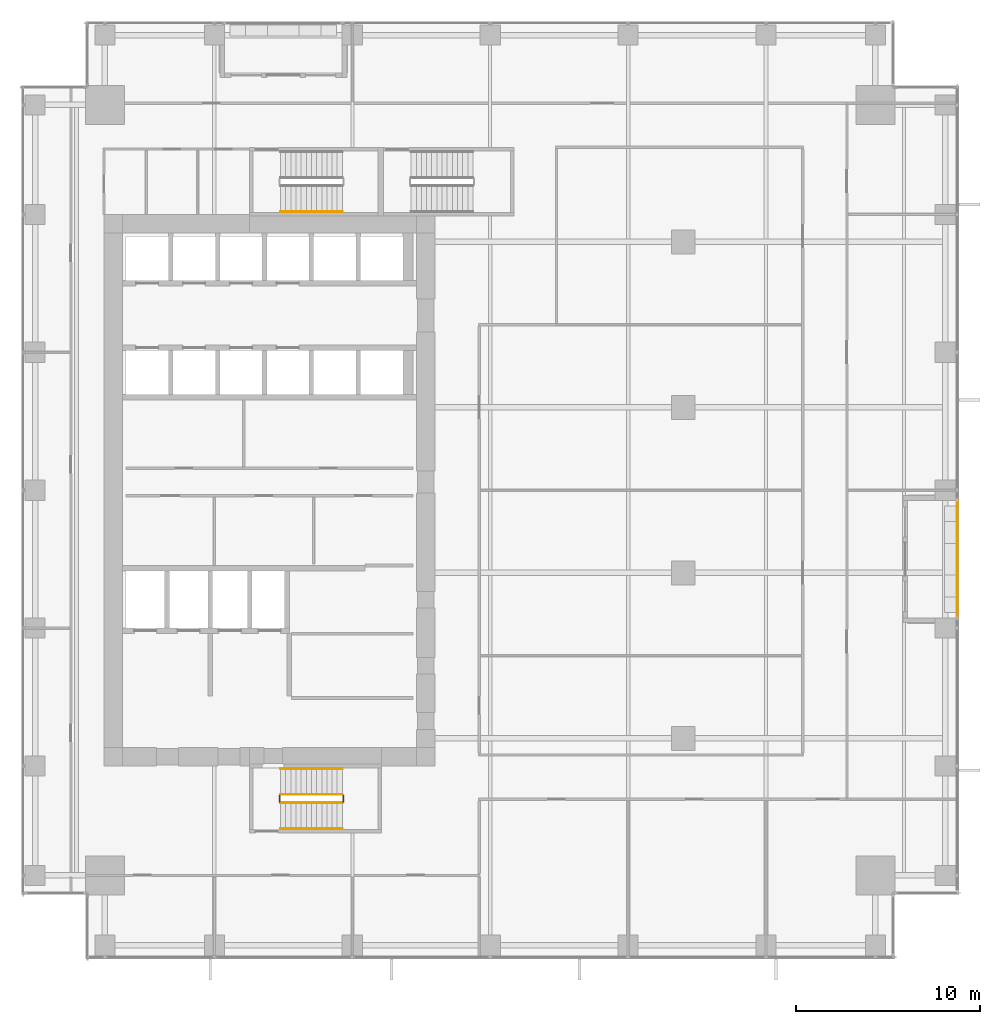
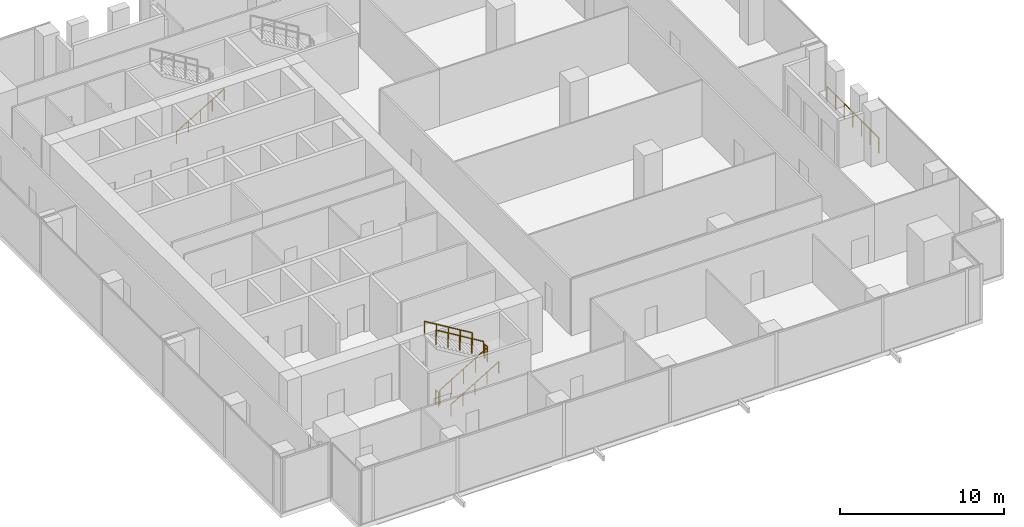
# One storey, part 32 of 34: 8 railings.
"""IFC4 building model written with IfcOpenShell, lengths in metres."""

from ifc_helpers import new_model, si_unit, direction, frame, origin, origin_2d, place, context, subcontext, project, spatial, circle, extrude, source, transform, mapped, material, type_object, element, save


model = new_model("IFC4")

# Units and contexts
model_context = context("Model", 3, precision=1e-05, world=origin(), true_north=direction((0.0, 1.0)))
body_context = subcontext(model_context, "Body", "Model", "MODEL_VIEW")
ifc_project = project(units=[si_unit("LENGTHUNIT", "METRE"), si_unit("AREAUNIT", "SQUARE_METRE"), si_unit("VOLUMEUNIT", "CUBIC_METRE"), si_unit("PLANEANGLEUNIT", "RADIAN"), si_unit("MASSUNIT", "GRAM", prefix="KILO")], contexts=[model_context])

# Site, building, storey
site_placement = place(None, origin())
site = spatial("IfcSite", under=ifc_project, at=site_placement, CompositionType="ELEMENT")
building_placement = place(site_placement, origin())
building = spatial("IfcBuilding", under=site, at=building_placement, Name="Khomas Fold Tower", CompositionType="ELEMENT")
storey_placement = place(building_placement, frame((0.0, 0.0, 105.89990234375)))
storey = spatial("IfcBuildingStorey", under=building, at=storey_placement, Name="L22", CompositionType="ELEMENT", Elevation=105.89990234375)

# Railings
ifc_material_1 = material(Name="Powder-coated steel", Category="steel")
railing_type_1 = type_object("IfcRailingType", Name="Balcony guard", PredefinedType="GUARDRAIL", material=ifc_material_1)
shared_shape_1 = source(origin(), body_context, "Body", "SweptSolid", [
    extrude(circle(Radius=0.02490234375, at=origin_2d()), frame((0.0, 0.0, 1.125), z_axis=(0.0, 1.0, 0.0), x_axis=(-1.0, 0.0, 0.0)), (0.0, 0.0, 1.0), 6.33984375),
    extrude(circle(Radius=0.02001953125, at=origin_2d()), origin(), (0.0, 0.0, 1.0), 1.099853515625),
    extrude(circle(Radius=0.02001953125, at=origin_2d()), frame((0.0, 1.056640625, 0.0)), (0.0, 0.0, 1.0), 1.099853515625),
    extrude(circle(Radius=0.02001953125, at=origin_2d()), frame((0.0, 2.11328125, 0.0)), (0.0, 0.0, 1.0), 1.099853515625),
    extrude(circle(Radius=0.02001953125, at=origin_2d()), frame((0.0, 3.169921875, 0.0)), (0.0, 0.0, 1.0), 1.099853515625),
    extrude(circle(Radius=0.02001953125, at=origin_2d()), frame((0.0, 4.2265625, 0.0)), (0.0, 0.0, 1.0), 1.099853515625),
    extrude(circle(Radius=0.02001953125, at=origin_2d()), frame((0.0, 5.283203125, 0.0)), (0.0, 0.0, 1.0), 1.099853515625),
    extrude(circle(Radius=0.02001953125, at=origin_2d()), frame((0.0, 6.33984375, 0.0)), (0.0, 0.0, 1.0), 1.099853515625),
])
railing_1_placement = place(storey_placement, frame((52.39990234375, 20.080078125, -0.044921875)))
element("IfcRailing", 1, at=railing_1_placement, inside=storey, type_object=railing_type_1, Name="Balcony guard BAL-L22-E2", PredefinedType="GUARDRAIL", context=body_context, shape_type="MappedRepresentation", body=[
    mapped(shared_shape_1, transform((0.0, 0.0, 0.0))),
])
ifc_material_2 = material(Name="Steel balustrade", Category="steel")
railing_type_2 = type_object("IfcRailingType", Name="Stair guard", PredefinedType="GUARDRAIL", material=ifc_material_2)
shared_shape_2 = source(origin(), body_context, "Body", "SweptSolid", [
    extrude(circle(Radius=0.02392578125, at=origin_2d()), frame((0.0, 0.0, 1.076171875), z_axis=(0.0, 1.0, 0.0), x_axis=(-1.0, 0.0, 0.0)), (0.0, 0.0, 1.0), 0.349853515625),
    extrude(circle(Radius=0.02099609375, at=origin_2d()), origin(), (0.0, 0.0, 1.0), 1.052001953125),
    extrude(circle(Radius=0.02099609375, at=origin_2d()), frame((0.0, 0.349853515625, 0.0)), (0.0, 0.0, 1.0), 1.052001953125),
])
for number, where, name in (
    (2, (19.010009765625, 10.050048828125, 2.2001953125), "L22 ST2 stair guard 2"),
    (3, (15.550048828125, 10.050048828125, 0.0), "L22 ST2 stair guard 4"),
):
    element("IfcRailing", number, at=place(storey_placement, frame(where)), inside=storey, type_object=railing_type_2, Name=name, PredefinedType="GUARDRAIL", context=body_context, shape_type="MappedRepresentation", body=[
        mapped(shared_shape_2, transform((0.0, 0.0, 0.0))),
    ])
shared_shape_3 = source(origin(), body_context, "Body", "SweptSolid", [
    extrude(circle(Radius=0.02392578125, at=origin_2d()), frame((0.0, 0.0, 1.076171875), z_axis=(0.855820338506, 0.0, 0.51727318527), x_axis=(0.0, 1.0, 0.0)), (0.0, 0.0, 1.0), 3.92578125),
    extrude(circle(Radius=0.02099609375, at=origin_2d()), origin(), (0.0, 0.0, 1.0), 1.052001953125),
    extrude(circle(Radius=0.02099609375, at=origin_2d()), frame((0.83984375, 0.0, 0.5078125)), (0.0, 0.0, 1.0), 1.052001953125),
    extrude(circle(Radius=0.02099609375, at=origin_2d()), frame((1.679931640625, 0.0, 1.015380859375)), (0.0, 0.0, 1.0), 1.052001953125),
    extrude(circle(Radius=0.02099609375, at=origin_2d()), frame((2.52001953125, 0.0, 1.52294921875)), (0.0, 0.0, 1.0), 1.052001953125),
    extrude(circle(Radius=0.02099609375, at=origin_2d()), frame((3.35986328125, 0.0, 2.03076171875)), (0.0, 0.0, 1.0), 1.052001953125),
])
railing_2_placement = place(storey_placement, frame((15.60009765625, 10.0, 0.16943359375)))
element("IfcRailing", 4, at=railing_2_placement, inside=storey, type_object=railing_type_2, Name="L22 ST2 stair guard 1", PredefinedType="GUARDRAIL", context=body_context, shape_type="MappedRepresentation", body=[
    mapped(shared_shape_3, transform((0.0, 0.0, 0.0))),
])
shared_shape_4 = source(origin(), body_context, "Body", "SweptSolid", [
    extrude(circle(Radius=0.02392578125, at=origin_2d()), frame((0.0, 0.0, 1.076171875), z_axis=(-0.855820338506, 0.0, 0.51727318527), x_axis=(0.0, -1.0, 0.0)), (0.0, 0.0, 1.0), 3.92578125),
    extrude(circle(Radius=0.02099609375, at=origin_2d()), origin(), (0.0, 0.0, 1.0), 1.052001953125),
    extrude(circle(Radius=0.02099609375, at=origin_2d()), frame((-0.83984375, 0.0, 0.5078125)), (0.0, 0.0, 1.0), 1.052001953125),
    extrude(circle(Radius=0.02099609375, at=origin_2d()), frame((-1.679931640625, 0.0, 1.015380859375)), (0.0, 0.0, 1.0), 1.052001953125),
    extrude(circle(Radius=0.02099609375, at=origin_2d()), frame((-2.52001953125, 0.0, 1.52294921875)), (0.0, 0.0, 1.0), 1.052001953125),
    extrude(circle(Radius=0.02099609375, at=origin_2d()), frame((-3.35986328125, 0.0, 2.03076171875)), (0.0, 0.0, 1.0), 1.052001953125),
])
railing_3_placement = place(storey_placement, frame((18.9599609375, 10.449951171875, 2.369384765625)))
element("IfcRailing", 5, at=railing_3_placement, inside=storey, type_object=railing_type_2, Name="L22 ST2 stair guard 3", PredefinedType="GUARDRAIL", context=body_context, shape_type="MappedRepresentation", body=[
    mapped(shared_shape_4, transform((0.0, 0.0, 0.0))),
])
ifc_material_3 = material(Name="Steel handrail", Category="steel")
railing_type_3 = type_object("IfcRailingType", Name="Stair handrail", PredefinedType="HANDRAIL", material=ifc_material_3)
shared_shape_5 = source(origin(), body_context, "Body", "SweptSolid", [
    extrude(circle(Radius=0.02392578125, at=origin_2d()), frame((0.0, 0.0, 0.8759765625), z_axis=(0.855820338506, 0.0, 0.51727318527), x_axis=(0.0, 1.0, 0.0)), (0.0, 0.0, 1.0), 3.92578125),
    extrude(circle(Radius=0.02099609375, at=origin_2d()), origin(), (0.0, 0.0, 1.0), 0.851806640625),
    extrude(circle(Radius=0.02099609375, at=origin_2d()), frame((0.83984375, 0.0, 0.5078125)), (0.0, 0.0, 1.0), 0.851806640625),
    extrude(circle(Radius=0.02099609375, at=origin_2d()), frame((1.679931640625, 0.0, 1.015380859375)), (0.0, 0.0, 1.0), 0.851806640625),
    extrude(circle(Radius=0.02099609375, at=origin_2d()), frame((2.52001953125, 0.0, 1.52294921875)), (0.0, 0.0, 1.0), 0.851806640625),
    extrude(circle(Radius=0.02099609375, at=origin_2d()), frame((3.35986328125, 0.0, 2.03076171875)), (0.0, 0.0, 1.0), 0.851806640625),
])
for number, where, name in (
    (6, (15.60009765625, 42.14990234375, 0.16943359375), "L22 ST1 stair handrail 1"),
    (7, (15.60009765625, 8.60009765625, 0.16943359375), "L22 ST2 stair handrail 1"),
):
    element("IfcRailing", number, at=place(storey_placement, frame(where)), inside=storey, type_object=railing_type_3, Name=name, PredefinedType="HANDRAIL", context=body_context, shape_type="MappedRepresentation", body=[
        mapped(shared_shape_5, transform((0.0, 0.0, 0.0))),
    ])
shared_shape_6 = source(origin(), body_context, "Body", "SweptSolid", [
    extrude(circle(Radius=0.02392578125, at=origin_2d()), frame((0.0, 0.0, 0.8759765625), z_axis=(-0.855820338506, 0.0, 0.51727318527), x_axis=(0.0, -1.0, 0.0)), (0.0, 0.0, 1.0), 3.92578125),
    extrude(circle(Radius=0.02099609375, at=origin_2d()), origin(), (0.0, 0.0, 1.0), 0.851806640625),
    extrude(circle(Radius=0.02099609375, at=origin_2d()), frame((-0.83984375, 0.0, 0.5078125)), (0.0, 0.0, 1.0), 0.851806640625),
    extrude(circle(Radius=0.02099609375, at=origin_2d()), frame((-1.679931640625, 0.0, 1.015380859375)), (0.0, 0.0, 1.0), 0.851806640625),
    extrude(circle(Radius=0.02099609375, at=origin_2d()), frame((-2.52001953125, 0.0, 1.52294921875)), (0.0, 0.0, 1.0), 0.851806640625),
    extrude(circle(Radius=0.02099609375, at=origin_2d()), frame((-3.35986328125, 0.0, 2.03076171875)), (0.0, 0.0, 1.0), 0.851806640625),
])
railing_4_placement = place(storey_placement, frame((18.9599609375, 11.85009765625, 2.369384765625)))
element("IfcRailing", 8, at=railing_4_placement, inside=storey, type_object=railing_type_3, Name="L22 ST2 stair handrail 2", PredefinedType="HANDRAIL", context=body_context, shape_type="MappedRepresentation", body=[
    mapped(shared_shape_6, transform((0.0, 0.0, 0.0))),
])

save(model, "model.ifc")
